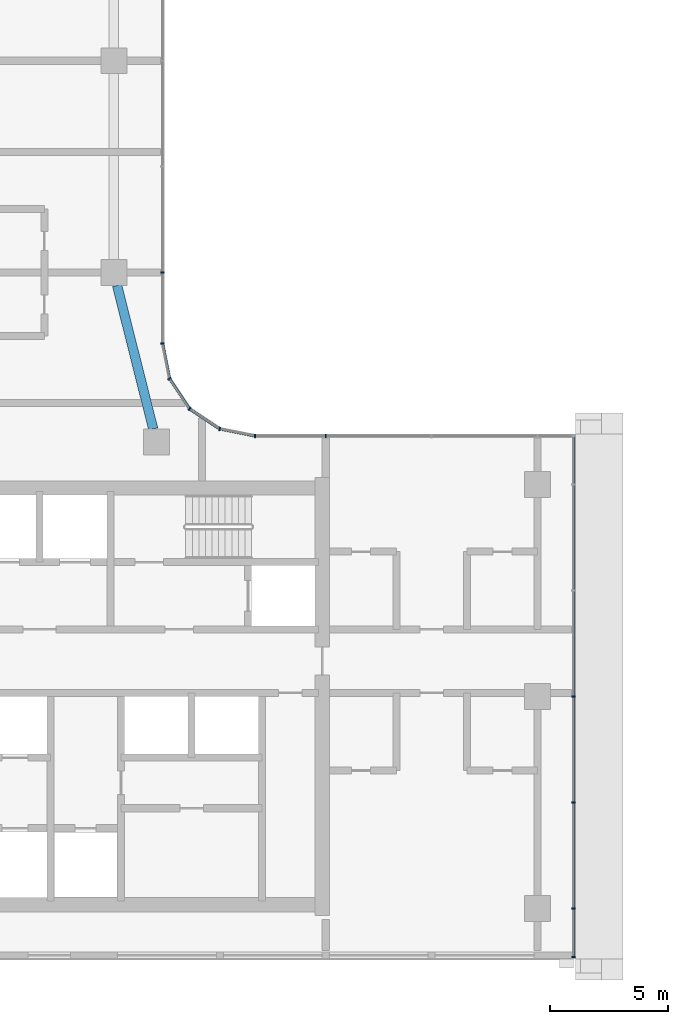
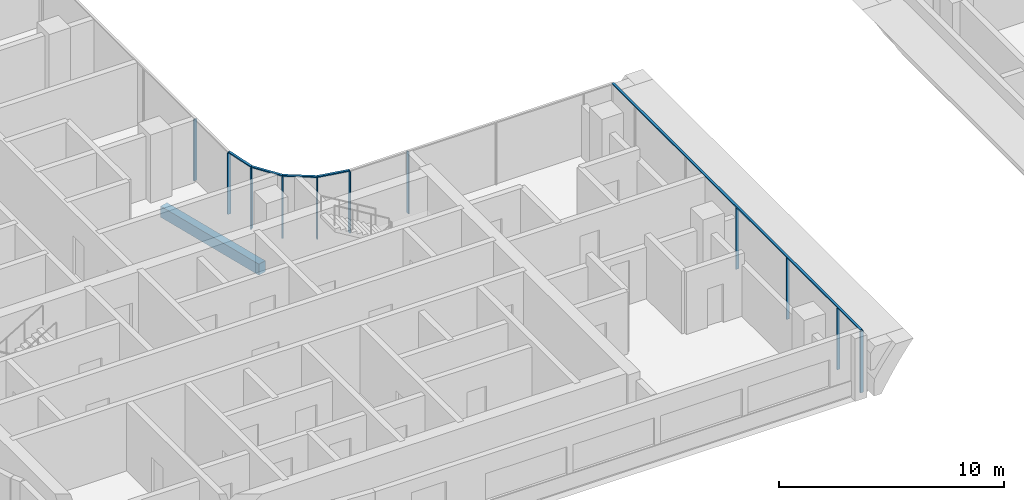
# One storey, part 2 of 23: 16 members, 1 beam, 4 elements without a shape of their own.
"""IFC4 building model written with IfcOpenShell, lengths in metres."""

from ifc_helpers import new_model, si_unit, direction, frame, origin, origin_2d, place, context, subcontext, project, spatial, rectangle, extrude, material, material_profile, profile_set, type_object, element, aggregate, save


model = new_model("IFC4")

# Units and contexts
model_context = context("Model", 3, precision=1e-05, world=origin(), true_north=direction((0.0, 1.0)))
body_context = subcontext(model_context, "Body", "Model", "MODEL_VIEW")
ifc_project = project(units=[si_unit("LENGTHUNIT", "METRE"), si_unit("AREAUNIT", "SQUARE_METRE"), si_unit("VOLUMEUNIT", "CUBIC_METRE"), si_unit("PLANEANGLEUNIT", "RADIAN"), si_unit("MASSUNIT", "GRAM", prefix="KILO")], contexts=[model_context])

# Site, building, storey
site_placement = place(None, origin())
site = spatial("IfcSite", under=ifc_project, at=site_placement, CompositionType="ELEMENT")
building_placement = place(site_placement, origin())
building = spatial("IfcBuilding", under=site, at=building_placement, Name="Ogive Portal Towers", CompositionType="ELEMENT")
storey_placement = place(building_placement, frame((0.0, 0.0, 175.5)))
storey = spatial("IfcBuildingStorey", under=building, at=storey_placement, Name="L43", CompositionType="ELEMENT", Elevation=175.5)

# Curtain wall, members
ifc_material_1 = material(Name="Glass, clear low-iron insulated glazing", Category="glass")
curtain_wall_type = type_object("IfcCurtainWallType", Name="CW FRONT RIBBON 4500", PredefinedType="NOTDEFINED", material=ifc_material_1)
curtain_wall_1_placement = place(storey_placement, origin())
curtain_wall_1 = element("IfcCurtainWall", 1, at=curtain_wall_1_placement, inside=storey, type_object=curtain_wall_type, Name="A:L43:f09:cw0", PredefinedType="NOTDEFINED")
ifc_material_2 = material(Name="Aluminium 6063 anodised", Category="aluminium")
ifc_material_profile_1 = material_profile(ifc_material_2, rectangle(XDim=0.159912109375, YDim=0.06005859375, at=origin_2d()), Name="AL 60x160")
ifc_profile_set_1 = profile_set([ifc_material_profile_1], Name="Aluminium 6063 anodised")
member_type_1 = type_object("IfcMemberType", Name="CW MULLION 60x160", PredefinedType="MULLION", material=ifc_profile_set_1)
member_1_placement = place(storey_placement, frame((69.02001953125, 19.43505859375, 0.0), z_axis=(0.0, 0.0, 1.0), x_axis=(-1.0, 0.0, 0.0)))
member_1 = element("IfcMember", 2, at=member_1_placement, type_object=member_type_1, Name="mullion", PredefinedType="MULLION", context=body_context, shape_type="SweptSolid", body=[
    extrude(rectangle(XDim=0.159912109375, YDim=0.06005859375, at=origin_2d()), origin(), (0.0, 0.0, 1.0), 3.340087890625),
])
member_2_placement = place(storey_placement, frame((69.02001953125, 21.5, 0.0), z_axis=(0.0, 0.0, 1.0), x_axis=(-1.0, 0.0, 0.0)))
member_2 = element("IfcMember", 3, at=member_2_placement, type_object=member_type_1, Name="mullion", PredefinedType="MULLION", context=body_context, shape_type="SweptSolid", body=[
    extrude(rectangle(XDim=0.159912109375, YDim=0.06005859375, at=origin_2d()), origin(), (0.0, 0.0, 1.0), 3.340087890625),
])
member_3_placement = place(storey_placement, frame((69.02001953125, 26.0, 0.0), z_axis=(0.0, 0.0, 1.0), x_axis=(-1.0, 0.0, 0.0)))
member_3 = element("IfcMember", 4, at=member_3_placement, type_object=member_type_1, Name="mullion", PredefinedType="MULLION", context=body_context, shape_type="SweptSolid", body=[
    extrude(rectangle(XDim=0.159912109375, YDim=0.06005859375, at=origin_2d()), origin(), (0.0, 0.0, 1.0), 3.340087890625),
])
member_4_placement = place(storey_placement, frame((69.02001953125, 30.5, 0.0), z_axis=(0.0, 0.0, 1.0), x_axis=(-1.0, 0.0, 0.0)))
member_4 = element("IfcMember", 5, at=member_4_placement, type_object=member_type_1, Name="mullion", PredefinedType="MULLION", context=body_context, shape_type="SweptSolid", body=[
    extrude(rectangle(XDim=0.159912109375, YDim=0.06005859375, at=origin_2d()), origin(), (0.0, 0.0, 1.0), 3.340087890625),
])

curtain_wall_2_placement = place(storey_placement, origin())
curtain_wall_2 = element("IfcCurtainWall", 6, at=curtain_wall_2_placement, inside=storey, type_object=curtain_wall_type, Name="A:L43:f10:cw0", PredefinedType="NOTDEFINED")
member_5_placement = place(storey_placement, frame((58.5, 41.56494140625, 0.0), z_axis=(0.0, 0.0, 1.0), x_axis=(0.0, -1.0, 0.0)))
member_5 = element("IfcMember", 7, at=member_5_placement, type_object=member_type_1, Name="mullion", PredefinedType="MULLION", context=body_context, shape_type="SweptSolid", body=[
    extrude(rectangle(XDim=0.159912109375, YDim=0.06005859375, at=origin_2d()), origin(), (0.0, 0.0, 1.0), 3.340087890625),
])
member_6_placement = place(storey_placement, frame((55.4921875, 41.56494140625, 0.0), z_axis=(0.0, 0.0, 1.0), x_axis=(0.0, -1.0, 0.0)))
member_6 = element("IfcMember", 8, at=member_6_placement, type_object=member_type_1, Name="mullion", PredefinedType="MULLION", context=body_context, shape_type="SweptSolid", body=[
    extrude(rectangle(XDim=0.159912109375, YDim=0.06005859375, at=origin_2d()), origin(), (0.0, 0.0, 1.0), 3.340087890625),
])
aggregate(curtain_wall_2, [member_5, member_6])

curtain_wall_3_placement = place(storey_placement, origin())
curtain_wall_3 = element("IfcCurtainWall", 9, at=curtain_wall_3_placement, inside=storey, type_object=curtain_wall_type, Name="A:L43:f15:cw0", PredefinedType="NOTDEFINED")
member_7_placement = place(storey_placement, frame((51.56494140625, 45.4921875, 0.0), z_axis=(0.0, 0.0, 1.0), x_axis=(-1.0, 0.0, 0.0)))
member_7 = element("IfcMember", 10, at=member_7_placement, type_object=member_type_1, Name="mullion", PredefinedType="MULLION", context=body_context, shape_type="SweptSolid", body=[
    extrude(rectangle(XDim=0.159912109375, YDim=0.06005859375, at=origin_2d()), origin(), (0.0, 0.0, 1.0), 3.340087890625),
])
member_8_placement = place(storey_placement, frame((51.56494140625, 48.5, 0.0), z_axis=(0.0, 0.0, 1.0), x_axis=(-1.0, 0.0, 0.0)))
member_8 = element("IfcMember", 11, at=member_8_placement, type_object=member_type_1, Name="mullion", PredefinedType="MULLION", context=body_context, shape_type="SweptSolid", body=[
    extrude(rectangle(XDim=0.159912109375, YDim=0.06005859375, at=origin_2d()), origin(), (0.0, 0.0, 1.0), 3.340087890625),
])
aggregate(curtain_wall_3, [member_7, member_8])

curtain_wall_4_placement = place(storey_placement, origin())
curtain_wall_4 = element("IfcCurtainWall", 12, at=curtain_wall_4_placement, inside=storey, type_object=curtain_wall_type, Name="A:L43:f11:cwa", PredefinedType="NOTDEFINED")
member_9_placement = place(storey_placement, frame((53.99365234375, 41.863037109375, 0.0), z_axis=(0.0, 0.0, 1.0), x_axis=(-0.195090322016, -0.980785280403, 0.0)))
member_9 = element("IfcMember", 13, at=member_9_placement, type_object=member_type_1, Name="mullion", PredefinedType="MULLION", context=body_context, shape_type="SweptSolid", body=[
    extrude(rectangle(XDim=0.159912109375, YDim=0.06005859375, at=origin_2d()), origin(), (0.0, 0.0, 1.0), 3.340087890625),
])
member_10_placement = place(storey_placement, frame((52.71630859375, 42.71630859375, 0.0), z_axis=(0.0, 0.0, 1.0), x_axis=(-0.55557023302, -0.831469612303, 0.0)))
member_10 = element("IfcMember", 14, at=member_10_placement, type_object=member_type_1, Name="mullion", PredefinedType="MULLION", context=body_context, shape_type="SweptSolid", body=[
    extrude(rectangle(XDim=0.159912109375, YDim=0.06005859375, at=origin_2d()), origin(), (0.0, 0.0, 1.0), 3.340087890625),
])
member_11_placement = place(storey_placement, frame((51.863037109375, 43.99365234375, 0.0), z_axis=(0.0, 0.0, 1.0), x_axis=(-0.831469612303, -0.55557023302, 0.0)))
member_11 = element("IfcMember", 15, at=member_11_placement, type_object=member_type_1, Name="mullion", PredefinedType="MULLION", context=body_context, shape_type="SweptSolid", body=[
    extrude(rectangle(XDim=0.159912109375, YDim=0.06005859375, at=origin_2d()), origin(), (0.0, 0.0, 1.0), 3.340087890625),
])

# Member
ifc_material_profile_2 = material_profile(ifc_material_2, rectangle(XDim=0.1201171875, YDim=0.06005859375, at=origin_2d()), Name="AL 120x60")
ifc_profile_set_2 = profile_set([ifc_material_profile_2], Name="Aluminium 6063 anodised")
member_type_2 = type_object("IfcMemberType", Name="CW TRANSOM 60x120", PredefinedType="USERDEFINED", material=ifc_profile_set_2)
member_12_placement = place(storey_placement, frame((69.02001953125, 19.43505859375, 3.3701171875), z_axis=(0.0, 1.0, 0.0), x_axis=(-1.0, 0.0, 0.0)))
member_12 = element("IfcMember", 16, at=member_12_placement, type_object=member_type_2, Name="transom", ObjectType="TRANSOM", PredefinedType="USERDEFINED", context=body_context, shape_type="SweptSolid", body=[
    extrude(rectangle(XDim=0.1201171875, YDim=0.06005859375, at=origin_2d()), origin(), (0.0, 0.0, 1.0), 22.1298828125),
])

aggregate(curtain_wall_1, [member_12, member_1, member_2, member_3, member_4])

member_13_placement = place(storey_placement, frame((55.4921875, 41.56494140625, 3.3701171875), z_axis=(-0.980782960085, 0.195101986683, 0.0), x_axis=(-0.195101986683, -0.980782960085, 0.0)))
member_13 = element("IfcMember", 17, at=member_13_placement, type_object=member_type_2, Name="transom", ObjectType="TRANSOM", PredefinedType="USERDEFINED", context=body_context, shape_type="SweptSolid", body=[
    extrude(rectangle(XDim=0.1201171875, YDim=0.06005859375, at=origin_2d()), origin(), (0.0, 0.0, 1.0), 1.52783203125),
])

member_14_placement = place(storey_placement, frame((53.99365234375, 41.863037109375, 3.3701171875), z_axis=(-0.831536462619, 0.555470171417, 0.0), x_axis=(-0.555470171417, -0.831536462619, 0.0)))
member_14 = element("IfcMember", 18, at=member_14_placement, type_object=member_type_2, Name="transom", ObjectType="TRANSOM", PredefinedType="USERDEFINED", context=body_context, shape_type="SweptSolid", body=[
    extrude(rectangle(XDim=0.1201171875, YDim=0.06005859375, at=origin_2d()), origin(), (0.0, 0.0, 1.0), 1.5361328125),
])

member_15_placement = place(storey_placement, frame((52.71630859375, 42.71630859375, 3.3701171875), z_axis=(-0.555470171417, 0.831536462619, 0.0), x_axis=(-0.831536462619, -0.555470171417, 0.0)))
member_15 = element("IfcMember", 19, at=member_15_placement, type_object=member_type_2, Name="transom", ObjectType="TRANSOM", PredefinedType="USERDEFINED", context=body_context, shape_type="SweptSolid", body=[
    extrude(rectangle(XDim=0.1201171875, YDim=0.06005859375, at=origin_2d()), origin(), (0.0, 0.0, 1.0), 1.5361328125),
])

member_16_placement = place(storey_placement, frame((51.863037109375, 43.99365234375, 3.3701171875), z_axis=(-0.195101986683, 0.980782960085, 0.0), x_axis=(-0.980782960085, -0.195101986683, 0.0)))
member_16 = element("IfcMember", 20, at=member_16_placement, type_object=member_type_2, Name="transom", ObjectType="TRANSOM", PredefinedType="USERDEFINED", context=body_context, shape_type="SweptSolid", body=[
    extrude(rectangle(XDim=0.1201171875, YDim=0.06005859375, at=origin_2d()), origin(), (0.0, 0.0, 1.0), 1.52783203125),
])

aggregate(curtain_wall_4, [member_13, member_14, member_15, member_16, member_9, member_10, member_11])

# Beam
ifc_material_3 = material(Name="Concrete C40/50", Category="concrete")
ifc_material_profile_3 = material_profile(ifc_material_3, rectangle(XDim=0.39990234375, YDim=0.60009765625, at=origin_2d()), Name="RC 400x600")
ifc_profile_set_3 = profile_set([ifc_material_profile_3], Name="Concrete C40/50")
beam_type = type_object("IfcBeamType", Name="SPANDREL BEAM RC 400x600", PredefinedType="BEAM", material=ifc_profile_set_3)
beam_placement = place(storey_placement, frame((49.638427734375, 47.949951171875, -0.60009765625), z_axis=(0.244108681121, -0.969747880535, 0.0), x_axis=(0.969747880535, 0.244108681121, 0.0)))
element("IfcBeam", 21, at=beam_placement, inside=storey, type_object=beam_type, Name="Spandrel beam L43", PredefinedType="BEAM", context=body_context, shape_type="SweptSolid", body=[
    extrude(rectangle(XDim=0.39990234375, YDim=0.60009765625, at=origin_2d()), origin(), (0.0, 0.0, 1.0), 6.27978515625),
])

save(model, "model.ifc")
